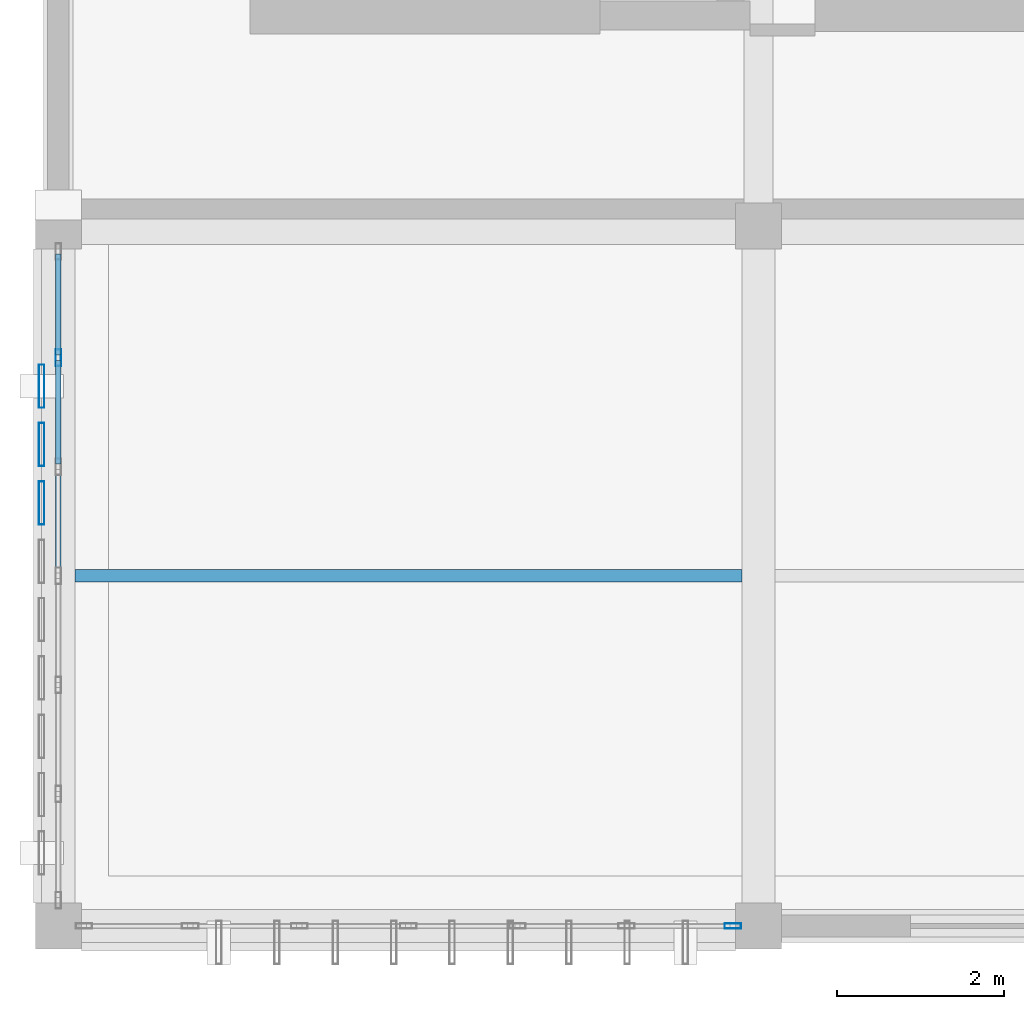
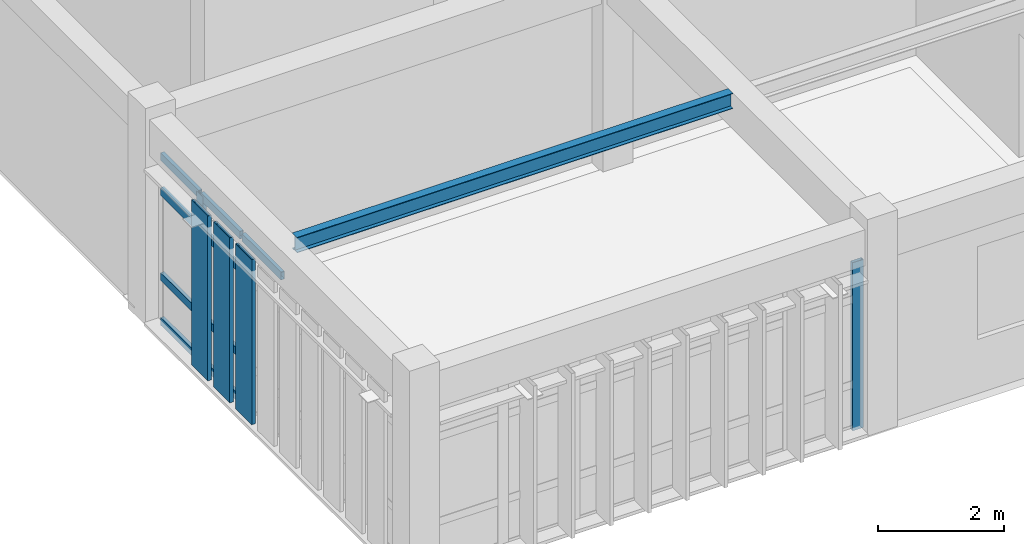
# One storey, part 5 of 21: 14 members, 1 beam, 2 elements without a shape of their own.
"""IFC4 building model written with IfcOpenShell, lengths in metres."""

import ifcopenshell
import ifcopenshell.guid

model = None  # the IFC model being written
_history = None  # IfcOwnerHistory: only IFC2X3 demands one
_inside = {}  # id of a spatial element -> (the spatial element, [elements in it])
_under = {}  # id of a project, library or spatial element -> (it, [spatial elements below it])
_declared = {}  # id of a project -> (the project, [libraries it declares])
_typed = {}  # id of a type object -> (the type object, [elements of that type])
_made_of = {}  # id of a material, layer set ... -> (it, [elements and type objects made of it])


def new_model(schema):
    """Start an empty IFC model of exactly this schema.

    Asked for "IFC4X3", IfcOpenShell would pick the latest addendum, in which some entities
    have other attributes; the version numbers below select the first issue.
    IFC2X3 requires an IfcOwnerHistory on every rooted entity: one is made here for all.
    """
    global model, _history
    if schema == "IFC4X3":
        model = ifcopenshell.file(schema_version=(4, 3, 0, 0))
    else:
        model = ifcopenshell.file(schema=schema)
    _inside.clear()
    _under.clear()
    _declared.clear()
    _typed.clear()
    _made_of.clear()
    _history = None
    if model.schema == "IFC2X3":
        org = make("IfcOrganization", Name="unknown")
        user = make(
            "IfcPersonAndOrganization",
            ThePerson=make("IfcPerson", FamilyName="unknown"),
            TheOrganization=org,
        )
        app = make(
            "IfcApplication",
            ApplicationDeveloper=org,
            Version="unknown",
            ApplicationFullName="unknown",
            ApplicationIdentifier="unknown",
        )
        _history = make(
            "IfcOwnerHistory",
            OwningUser=user,
            OwningApplication=app,
            ChangeAction="ADDED",
            CreationDate=0,
        )
    return model


def make(cls, **values):
    """One entity of the class cls with the attributes given. An attribute that is None is left unset."""
    return model.create_entity(
        cls, **{name: value for name, value in values.items() if value is not None}
    )


def rooted(cls, **values):
    """An entity with a GlobalId (a new one), such as an element, a storey or a relation."""
    return make(cls, GlobalId=ifcopenshell.guid.new(), OwnerHistory=_history, **values)


def si_unit(unit_type, name, prefix=None):
    """IfcSIUnit, for example si_unit("LENGTHUNIT", "METRE", prefix="MILLI")."""
    return make("IfcSIUnit", UnitType=unit_type, Prefix=prefix, Name=name)


def assignment(units):
    """IfcUnitAssignment: the units of a project."""
    return None if units is None else make("IfcUnitAssignment", Units=units)


def point(xyz):
    """IfcCartesianPoint."""
    return None if xyz is None else make("IfcCartesianPoint", Coordinates=xyz)


def direction(xyz):
    """IfcDirection."""
    return None if xyz is None else make("IfcDirection", DirectionRatios=xyz)


def frame(location, z_axis=None, x_axis=None):
    """IfcAxis2Placement3D, a coordinate frame: its origin and axes. An axis left out is left unset."""
    return make(
        "IfcAxis2Placement3D",
        Location=point(location),
        Axis=direction(z_axis),
        RefDirection=direction(x_axis),
    )


def frame_2d(location, x_axis=None):
    """IfcAxis2Placement2D, a coordinate frame in the plane: its origin and x axis."""
    return make(
        "IfcAxis2Placement2D", Location=point(location), RefDirection=direction(x_axis)
    )


def origin():
    """The frame at (0, 0, 0) with its axes left unset."""
    return frame((0.0, 0.0, 0.0))


def origin_2d():
    """The frame at (0, 0) in the plane with its x axis left unset."""
    return frame_2d((0.0, 0.0))


def place(relative_to, where):
    """IfcLocalPlacement: puts the frame where relative to a parent placement (None: the world)."""
    return make(
        "IfcLocalPlacement", PlacementRelTo=relative_to, RelativePlacement=where
    )


def context(
    kind, dimensions, precision=None, world=None, true_north=None, identifier=None
):
    """IfcGeometricRepresentationContext, for example the 3D "Model" context."""
    return make(
        "IfcGeometricRepresentationContext",
        ContextIdentifier=identifier,
        ContextType=kind,
        CoordinateSpaceDimension=dimensions,
        Precision=precision,
        WorldCoordinateSystem=world,
        TrueNorth=true_north,
    )


def subcontext(parent, identifier, kind, view, scale=None):
    """IfcGeometricRepresentationSubContext, for example "Body" below "Model"."""
    return make(
        "IfcGeometricRepresentationSubContext",
        ContextIdentifier=identifier,
        ContextType=kind,
        ParentContext=parent,
        TargetScale=scale,
        TargetView=view,
    )


def project(units=None, contexts=None):
    """IfcProject with its units and contexts."""
    return rooted(
        "IfcProject",
        Name="project",
        RepresentationContexts=contexts,
        UnitsInContext=assignment(units),
    )


def spatial(cls, under=None, at=None, **own):
    """A site, building, storey or space (cls), placed at a placement, below another one or the project."""
    s = rooted(cls, ObjectPlacement=at, **own)
    if under is not None:
        _under.setdefault(under.id(), (under, []))[1].append(s)
    return s


def profile(cls, at=None, kind="AREA", **sizes):
    """A parametric profile (cls). Its sizes go by their IFC names, for example OverallWidth=200.0."""
    return make(cls, ProfileType=kind, Position=at, **sizes)


def hollow_rectangle(**sizes):
    """IfcRectangleHollowProfileDef."""
    return profile("IfcRectangleHollowProfileDef", **sizes)


def i_section(**sizes):
    """IfcIShapeProfileDef."""
    return profile("IfcIShapeProfileDef", **sizes)


def extrude(swept, where, along, depth):
    """IfcExtrudedAreaSolid: the profile swept, set in the frame where, extruded along a direction by depth."""
    return make(
        "IfcExtrudedAreaSolid",
        SweptArea=swept,
        Position=where,
        ExtrudedDirection=direction(along),
        Depth=depth,
    )


def shape(context_of_items, identifier, shape_type, items):
    """IfcShapeRepresentation: the items that make up one representation, for example the "Body"."""
    return make(
        "IfcShapeRepresentation",
        ContextOfItems=context_of_items,
        RepresentationIdentifier=identifier,
        RepresentationType=shape_type,
        Items=items,
    )


def material(Name=None, Category=None):
    """IfcMaterial."""
    return make("IfcMaterial", Name=Name, Category=Category)


def layer(
    of_material, thickness, ventilated=None, Name=None, Category=None, Priority=None
):
    """IfcMaterialLayer: one layer of a wall or slab, of a material (None: an air gap)."""
    return make(
        "IfcMaterialLayer",
        Material=of_material,
        LayerThickness=thickness,
        IsVentilated=ventilated,
        Name=Name,
        Category=Category,
        Priority=Priority,
    )


def layer_set(layers, Name=None):
    """IfcMaterialLayerSet."""
    return make("IfcMaterialLayerSet", MaterialLayers=layers, LayerSetName=Name)


def material_profile(
    of_material, cross_section, Name=None, Category=None, Priority=None
):
    """IfcMaterialProfile: a cross section and its material."""
    return make(
        "IfcMaterialProfile",
        Name=Name,
        Material=of_material,
        Profile=cross_section,
        Priority=Priority,
        Category=Category,
    )


def profile_set(profiles, Name=None, composite=None):
    """IfcMaterialProfileSet."""
    return make(
        "IfcMaterialProfileSet",
        Name=Name,
        MaterialProfiles=profiles,
        CompositeProfile=composite,
    )


def made_of(thing, what):
    """Note that an element or type object is made of a material, layer set ...; save() writes the relation."""
    if what is not None:
        _made_of.setdefault(what.id(), (what, []))[1].append(thing)
    return thing


def type_object(cls, material=None, **own):
    """A type object (cls), such as IfcWallType, which elements share."""
    return made_of(rooted(cls, **own), material)


def element(
    cls,
    number,
    at=None,
    inside=None,
    cuts=None,
    type_object=None,
    material=None,
    context=None,
    identifier="Body",
    shape_type=None,
    held_by="IfcProductDefinitionShape",
    body=None,
    shapes=None,
    **own,
):
    """One element of the class cls, such as IfcWall. Its Tag is "e" and its number.

    at: its placement. inside: the storey or other place that contains it. cuts: it is an
    opening in that element (IfcRelVoidsElement). A single representation is given by context,
    identifier, shape_type and body (its items); several are given by shapes. held_by: the class
    of the entity that holds the representations. save() writes the other relations.
    """
    e = rooted(cls, Tag="e%d" % number, ObjectPlacement=at, **own)
    if body is not None:
        shapes = [shape(context, identifier, shape_type, body)]
    if shapes is not None:
        e.Representation = make(held_by, Representations=shapes)
    if inside is not None:
        _inside.setdefault(inside.id(), (inside, []))[1].append(e)
    if cuts is not None:
        rooted(
            "IfcRelVoidsElement", RelatingBuildingElement=cuts, RelatedOpeningElement=e
        )
    if type_object is not None:
        _typed.setdefault(type_object.id(), (type_object, []))[1].append(e)
    return made_of(e, material)


def aggregate(whole, parts):
    """IfcRelAggregates: a whole, such as a stair, and the parts it consists of."""
    return rooted("IfcRelAggregates", RelatingObject=whole, RelatedObjects=parts)


def save(model, path):
    """Write the relations noted so far, then the file.

    IfcRelAggregates (storeys below a building ...), IfcRelContainedInSpatialStructure (elements
    in a storey), IfcRelDefinesByType, IfcRelAssociatesMaterial and IfcRelDeclares: one each for
    every whole, place, type object, material and project.
    """
    for whole, parts in _under.values():
        aggregate(whole, parts)
    for where, things in _inside.values():
        rooted(
            "IfcRelContainedInSpatialStructure",
            RelatedElements=things,
            RelatingStructure=where,
        )
    for kind, things in _typed.values():
        rooted("IfcRelDefinesByType", RelatedObjects=things, RelatingType=kind)
    for what, things in _made_of.values():
        rooted("IfcRelAssociatesMaterial", RelatedObjects=things, RelatingMaterial=what)
    for by, libraries in _declared.values():
        rooted("IfcRelDeclares", RelatingContext=by, RelatedDefinitions=libraries)
    model.write(path)


model = new_model("IFC4")

# Units and contexts
model_context = context("Model", 3, precision=1e-05, world=origin(), true_north=direction((0.0, 1.0)))
body_context = subcontext(model_context, "Body", "Model", "MODEL_VIEW")
ifc_project = project(units=[si_unit("LENGTHUNIT", "METRE"), si_unit("AREAUNIT", "SQUARE_METRE"), si_unit("VOLUMEUNIT", "CUBIC_METRE"), si_unit("PLANEANGLEUNIT", "RADIAN"), si_unit("MASSUNIT", "GRAM", prefix="KILO")], contexts=[model_context])

# Site, building, storey
site_placement = place(None, origin())
site = spatial("IfcSite", under=ifc_project, at=site_placement, CompositionType="ELEMENT")
building_placement = place(site_placement, origin())
building = spatial("IfcBuilding", under=site, at=building_placement, Name="Krzemoval Escarpment Law Courts", CompositionType="ELEMENT")
storey_placement = place(building_placement, frame((0.0, 0.0, 37.800048828125)))
storey = spatial("IfcBuildingStorey", under=building, at=storey_placement, Name="L08", CompositionType="ELEMENT", Elevation=37.800048828125)

# Curtain wall, member
ifc_material_1 = material(Name="Aluminium 6063-T6", Category="aluminium")
ifc_layer = layer(ifc_material_1, 0.219970703125)
ifc_layer_set = layer_set([ifc_layer], Name="Aluminium 6063-T6")
curtain_wall_type = type_object("IfcCurtainWallType", Name="CW-CHMB-4200", PredefinedType="USERDEFINED", material=ifc_layer_set)
curtain_wall_1_placement = place(storey_placement, origin())
curtain_wall_1 = element("IfcCurtainWall", 1, at=curtain_wall_1_placement, inside=storey, type_object=curtain_wall_type, Name="Unitised Curtain Wall FCW-L08-161", ObjectType="UNITISED_CURTAIN_WALL", PredefinedType="USERDEFINED")
ifc_material_2 = material(Name="Aluminium 6063-T6", Category="aluminium")
ifc_material_profile_1 = material_profile(ifc_material_2, hollow_rectangle(XDim=0.06494140625, YDim=0.199951171875, WallThickness=0.00439453125, at=origin_2d()), Name="ALU M65x200")
ifc_profile_set_1 = profile_set([ifc_material_profile_1], Name="Aluminium 6063-T6")
member_type_1 = type_object("IfcMemberType", Name="CWM-65x200", PredefinedType="MULLION", material=ifc_profile_set_1)
member_1_placement = place(storey_placement, frame((134.092529296875, 85.199951171875, 0.0), z_axis=(0.0, 0.0, 1.0), x_axis=(0.0, -1.0, 0.0)))
member_1 = element("IfcMember", 2, at=member_1_placement, type_object=member_type_1, Name="FCW-L08-161 mullion 1", PredefinedType="MULLION", context=body_context, shape_type="SweptSolid", body=[
    extrude(hollow_rectangle(XDim=0.06494140625, YDim=0.199951171875, WallThickness=0.00439453125, at=origin_2d()), origin(), (0.0, 0.0, 1.0), 3.260009765625),
])
aggregate(curtain_wall_1, [member_1])

# Curtain wall, members
curtain_wall_2_placement = place(storey_placement, origin())
curtain_wall_2 = element("IfcCurtainWall", 3, at=curtain_wall_2_placement, inside=storey, type_object=curtain_wall_type, Name="Unitised Curtain Wall FCW-L08-162", ObjectType="UNITISED_CURTAIN_WALL", PredefinedType="USERDEFINED")
member_2_placement = place(storey_placement, frame((126.0, 92.0166015625, 0.0), z_axis=(0.0, 0.0, 1.0), x_axis=(-1.0, 0.0, 0.0)))
member_2 = element("IfcMember", 4, at=member_2_placement, type_object=member_type_1, Name="FCW-L08-162 mullion 6", PredefinedType="MULLION", context=body_context, shape_type="SweptSolid", body=[
    extrude(hollow_rectangle(XDim=0.06494140625, YDim=0.199951171875, WallThickness=0.00439453125, at=origin_2d()), origin(), (0.0, 0.0, 1.0), 3.260009765625),
])
ifc_material_3 = material(Name="Aluminium 6063-T6", Category="aluminium")
ifc_material_profile_2 = material_profile(ifc_material_3, hollow_rectangle(XDim=0.06494140625, YDim=0.14990234375, WallThickness=0.00439453125, at=origin_2d()), Name="ALU T65x150")
ifc_profile_set_2 = profile_set([ifc_material_profile_2], Name="Aluminium 6063-T6")
member_type_2 = type_object("IfcMemberType", Name="CWT-65x150", PredefinedType="USERDEFINED", material=ifc_profile_set_2)
member_3_placement = place(storey_placement, frame((126.0, 89.4326171875, 3.2275390625), z_axis=(0.0, 1.0, 0.0), x_axis=(-1.0, 0.0, 0.0)))
member_3 = element("IfcMember", 5, at=member_3_placement, type_object=member_type_2, Name="FCW-L08-162 transom 4.4", ObjectType="TRANSOM", PredefinedType="USERDEFINED", context=body_context, shape_type="SweptSolid", body=[
    extrude(hollow_rectangle(XDim=0.06494140625, YDim=0.14990234375, WallThickness=0.00439453125, at=origin_2d()), origin(), (0.0, 0.0, 1.0), 1.2431640625),
])
member_4_placement = place(storey_placement, frame((126.0, 90.74072265625, 0.032470703125), z_axis=(0.0, 1.0, 0.0), x_axis=(-1.0, 0.0, 0.0)))
member_4 = element("IfcMember", 6, at=member_4_placement, type_object=member_type_2, Name="FCW-L08-162 transom 5.1", ObjectType="TRANSOM", PredefinedType="USERDEFINED", context=body_context, shape_type="SweptSolid", body=[
    extrude(hollow_rectangle(XDim=0.06494140625, YDim=0.14990234375, WallThickness=0.00439453125, at=origin_2d()), origin(), (0.0, 0.0, 1.0), 1.243408203125),
])
member_5_placement = place(storey_placement, frame((126.0, 90.74072265625, 0.89990234375), z_axis=(0.0, 1.0, 0.0), x_axis=(-1.0, 0.0, 0.0)))
member_5 = element("IfcMember", 7, at=member_5_placement, type_object=member_type_2, Name="FCW-L08-162 transom 5.2", ObjectType="TRANSOM", PredefinedType="USERDEFINED", context=body_context, shape_type="SweptSolid", body=[
    extrude(hollow_rectangle(XDim=0.06494140625, YDim=0.14990234375, WallThickness=0.00439453125, at=origin_2d()), origin(), (0.0, 0.0, 1.0), 1.243408203125),
])
member_6_placement = place(storey_placement, frame((126.0, 90.74072265625, 2.550048828125), z_axis=(0.0, 1.0, 0.0), x_axis=(-1.0, 0.0, 0.0)))
member_6 = element("IfcMember", 8, at=member_6_placement, type_object=member_type_2, Name="FCW-L08-162 transom 5.3", ObjectType="TRANSOM", PredefinedType="USERDEFINED", context=body_context, shape_type="SweptSolid", body=[
    extrude(hollow_rectangle(XDim=0.06494140625, YDim=0.14990234375, WallThickness=0.00439453125, at=origin_2d()), origin(), (0.0, 0.0, 1.0), 1.243408203125),
])
member_7_placement = place(storey_placement, frame((126.0, 90.74072265625, 3.2275390625), z_axis=(0.0, 1.0, 0.0), x_axis=(-1.0, 0.0, 0.0)))
member_7 = element("IfcMember", 9, at=member_7_placement, type_object=member_type_2, Name="FCW-L08-162 transom 5.4", ObjectType="TRANSOM", PredefinedType="USERDEFINED", context=body_context, shape_type="SweptSolid", body=[
    extrude(hollow_rectangle(XDim=0.06494140625, YDim=0.14990234375, WallThickness=0.00439453125, at=origin_2d()), origin(), (0.0, 0.0, 1.0), 1.243408203125),
])
member_8_placement = place(storey_placement, frame((126.0, 92.049072265625, 0.032470703125), z_axis=(0.0, 1.0, 0.0), x_axis=(-1.0, 0.0, 0.0)))
member_8 = element("IfcMember", 10, at=member_8_placement, type_object=member_type_2, Name="FCW-L08-162 transom 6.1", ObjectType="TRANSOM", PredefinedType="USERDEFINED", context=body_context, shape_type="SweptSolid", body=[
    extrude(hollow_rectangle(XDim=0.06494140625, YDim=0.14990234375, WallThickness=0.00439453125, at=origin_2d()), origin(), (0.0, 0.0, 1.0), 1.2109375),
])
member_9_placement = place(storey_placement, frame((126.0, 92.049072265625, 0.89990234375), z_axis=(0.0, 1.0, 0.0), x_axis=(-1.0, 0.0, 0.0)))
member_9 = element("IfcMember", 11, at=member_9_placement, type_object=member_type_2, Name="FCW-L08-162 transom 6.2", ObjectType="TRANSOM", PredefinedType="USERDEFINED", context=body_context, shape_type="SweptSolid", body=[
    extrude(hollow_rectangle(XDim=0.06494140625, YDim=0.14990234375, WallThickness=0.00439453125, at=origin_2d()), origin(), (0.0, 0.0, 1.0), 1.2109375),
])
member_10_placement = place(storey_placement, frame((126.0, 92.049072265625, 2.550048828125), z_axis=(0.0, 1.0, 0.0), x_axis=(-1.0, 0.0, 0.0)))
member_10 = element("IfcMember", 12, at=member_10_placement, type_object=member_type_2, Name="FCW-L08-162 transom 6.3", ObjectType="TRANSOM", PredefinedType="USERDEFINED", context=body_context, shape_type="SweptSolid", body=[
    extrude(hollow_rectangle(XDim=0.06494140625, YDim=0.14990234375, WallThickness=0.00439453125, at=origin_2d()), origin(), (0.0, 0.0, 1.0), 1.2109375),
])
member_11_placement = place(storey_placement, frame((126.0, 92.049072265625, 3.2275390625), z_axis=(0.0, 1.0, 0.0), x_axis=(-1.0, 0.0, 0.0)))
member_11 = element("IfcMember", 13, at=member_11_placement, type_object=member_type_2, Name="FCW-L08-162 transom 6.4", ObjectType="TRANSOM", PredefinedType="USERDEFINED", context=body_context, shape_type="SweptSolid", body=[
    extrude(hollow_rectangle(XDim=0.06494140625, YDim=0.14990234375, WallThickness=0.00439453125, at=origin_2d()), origin(), (0.0, 0.0, 1.0), 1.2109375),
])
aggregate(curtain_wall_2, [member_2, member_3, member_4, member_5, member_6, member_7, member_8, member_9, member_10, member_11])

# Beam
ifc_material_4 = material(Name="Steel S355", Category="steel")
ifc_material_profile_3 = material_profile(ifc_material_4, i_section(OverallWidth=0.14990234375, OverallDepth=0.300048828125, WebThickness=0.007080078125, FlangeThickness=0.0107421875, at=origin_2d()), Name="IPE 300")
ifc_profile_set_3 = profile_set([ifc_material_profile_3], Name="Steel S355")
beam_type = type_object("IfcBeamType", Name="JST-S355-IPE300", PredefinedType="JOIST", material=ifc_profile_set_3)
beam_placement = place(storey_placement, frame((126.199951171875, 89.39990234375, 3.81005859375), z_axis=(1.0, 0.0, 0.0), x_axis=(0.0, 1.0, 0.0)))
element("IfcBeam", 14, at=beam_placement, inside=storey, type_object=beam_type, Name="Secondary Joist FJ-L08-2782", PredefinedType="JOIST", context=body_context, shape_type="SweptSolid", body=[
    extrude(i_section(OverallWidth=0.14990234375, OverallDepth=0.300048828125, WebThickness=0.007080078125, FlangeThickness=0.0107421875, at=origin_2d()), origin(), (0.0, 0.0, 1.0), 8.0),
])

# Members
ifc_material_5 = material(Name="Anodised Aluminium Alloy 6063-T6", Category="aluminium")
ifc_material_profile_4 = material_profile(ifc_material_5, hollow_rectangle(XDim=0.06494140625, YDim=0.52001953125, WallThickness=0.00439453125, at=origin_2d()), Name="ALU LVR 65x520")
ifc_profile_set_4 = profile_set([ifc_material_profile_4], Name="Anodised Aluminium Alloy 6063-T6")
member_type_3 = type_object("IfcMemberType", Name="LVR-ALU-520", PredefinedType="USERDEFINED", material=ifc_profile_set_4)
for number, where, z_axis, x_axis, name in (
    (15, (125.800048828125, 90.27490234375, 0.06005859375), (0.0, 0.0, 1.0), (1.0, 0.0, 0.0), "Sunshade Louvre Fin FLV-L08-1075"),
    (16, (125.800048828125, 90.97509765625, 0.06005859375), (0.0, 0.0, 1.0), (1.0, 0.0, 0.0), "Sunshade Louvre Fin FLV-L08-1076"),
    (17, (125.800048828125, 91.675048828125, 0.06005859375), (0.0, 0.0, 1.0), (1.0, 0.0, 0.0), "Sunshade Louvre Fin FLV-L08-1077"),
):
    element("IfcMember", number, at=place(storey_placement, frame(where, z_axis=z_axis, x_axis=x_axis)), inside=storey, type_object=member_type_3, Name=name, ObjectType="SUNSHADE_LOUVRE", PredefinedType="USERDEFINED", context=body_context, shape_type="SweptSolid", body=[
        extrude(hollow_rectangle(XDim=0.06494140625, YDim=0.52001953125, WallThickness=0.00439453125, at=origin_2d()), origin(), (0.0, 0.0, 1.0), 3.199951171875),
    ])

save(model, "model.ifc")
